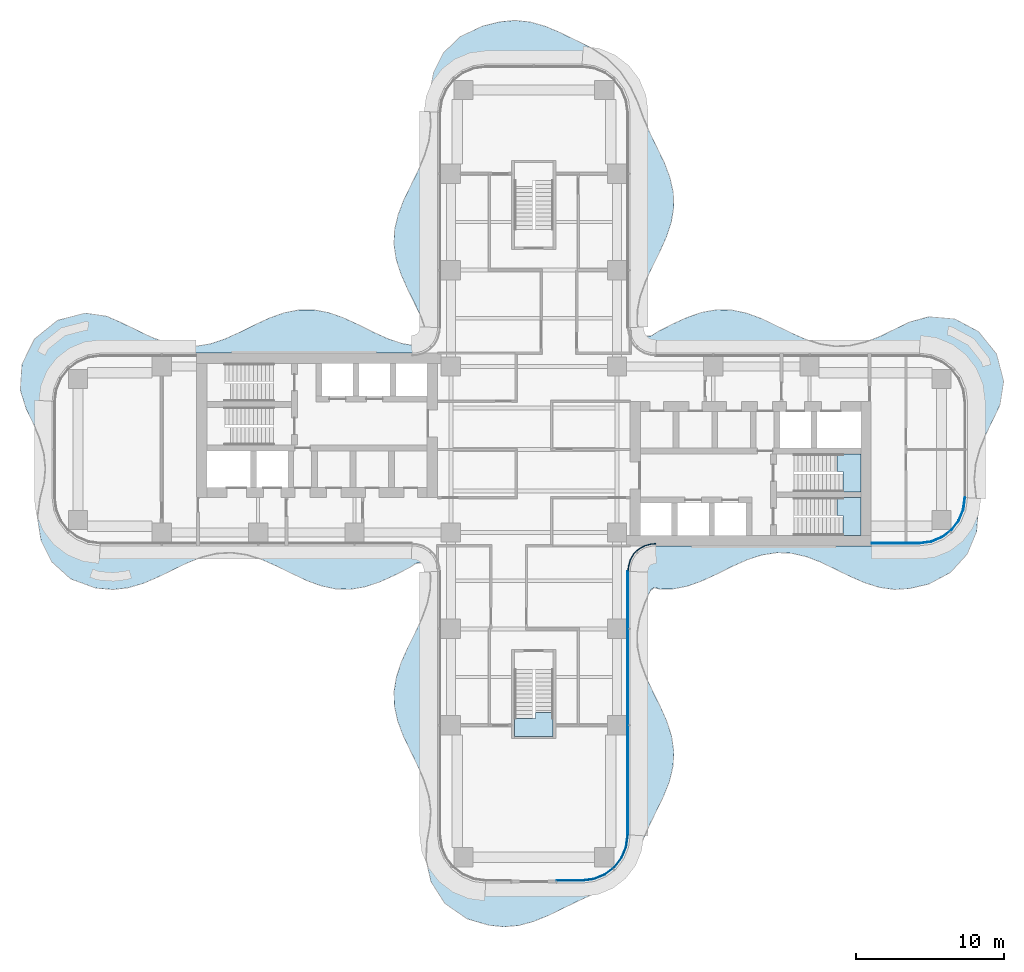
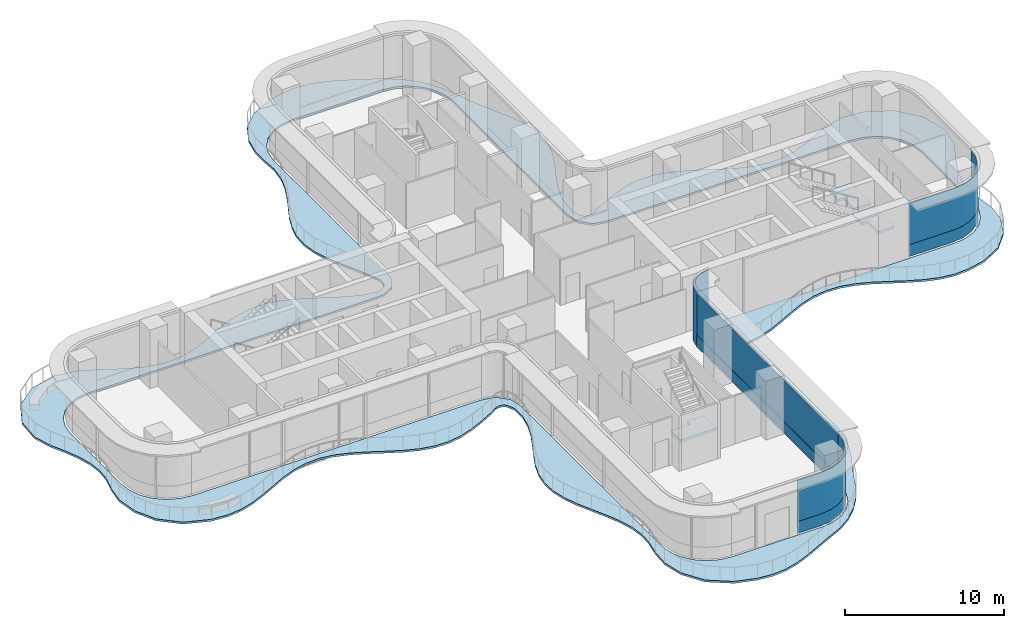
# One storey, part 14 of 21: 7 plates, 4 slabs, 7 elements without a shape of their own.
"""IFC4 building model written with IfcOpenShell, lengths in metres."""

from ifc_helpers import new_model, si_unit, direction, frame, origin, place, context, subcontext, project, spatial, polyline, outline, extrude, source, transform, mapped, material, layer, layer_set, type_object, element, aggregate, save


model = new_model("IFC4")

# Units and contexts
model_context = context("Model", 3, precision=1e-05, world=origin(), true_north=direction((0.0, 1.0)))
body_context = subcontext(model_context, "Body", "Model", "MODEL_VIEW")
ifc_project = project(units=[si_unit("LENGTHUNIT", "METRE"), si_unit("AREAUNIT", "SQUARE_METRE"), si_unit("VOLUMEUNIT", "CUBIC_METRE"), si_unit("PLANEANGLEUNIT", "RADIAN"), si_unit("MASSUNIT", "GRAM", prefix="KILO")], contexts=[model_context])

# Site, building, storey
site_placement = place(None, origin())
site = spatial("IfcSite", under=ifc_project, at=site_placement, CompositionType="ELEMENT")
building_placement = place(site_placement, origin())
building = spatial("IfcBuilding", under=site, at=building_placement, Name="Trellis Farm Tower", CompositionType="ELEMENT")
storey_placement = place(building_placement, frame((0.0, 0.0, 102.0)))
storey = spatial("IfcBuildingStorey", under=building, at=storey_placement, Name="L21", CompositionType="ELEMENT", Elevation=102.0)

# Slab
ifc_material_1 = material(Name="Concrete C40/50", Category="concrete")
ifc_layer_1 = layer(ifc_material_1, 0.14990234375)
ifc_layer_set_1 = layer_set([ifc_layer_1], Name="Balcony slab 150")
slab_type_1 = type_object("IfcSlabType", Name="Balcony slab 150", PredefinedType="FLOOR", material=ifc_layer_set_1)
slab_1_placement = place(storey_placement, frame((0.0, 0.0, -0.14990234375)))
element("IfcSlab", 1, at=slab_1_placement, inside=storey, type_object=slab_type_1, Name="Balcony slab", PredefinedType="FLOOR", context=body_context, shape_type="SweptSolid", body=[
    extrude(outline(polyline([(-8.403564453125, -7.976806640625), (-9.360595703125, -8.4658203125), (-9.36669921875, -8.46875), (-10.360595703125, -8.919921875), (-10.37451171875, -8.92529296875), (-11.360595703125, -9.259521484375), (-11.3837890625, -9.265380859375), (-12.3603515625, -9.431884765625), (-12.38916015625, -9.433837890625), (-13.35888671875, -9.410400390625), (-13.38671875, -9.406982421875), (-14.357421875, -9.198486328125), (-14.378173828125, -9.1923828125), (-15.356201171875, -8.8291015625), (-15.36767578125, -8.82421875), (-16.3515625, -8.361572265625), (-16.354248046875, -8.3603515625), (-17.359130859375, -7.86279296875), (-17.3623046875, -7.861083984375), (-18.3671875, -7.418701171875), (-18.374755859375, -7.415771484375), (-19.374755859375, -7.1005859375), (-19.38671875, -7.097900390625), (-20.37841796875, -6.958984375), (-20.39306640625, -6.958251953125), (-21.375244140625, -7.012939453125), (-21.388671875, -7.014892578125), (-22.367431640625, -7.251220703125), (-22.376953125, -7.25439453125), (-23.358154296875, -7.63720703125), (-23.36376953125, -7.639404296875), (-25.34033203125, -8.599609375), (-25.3466796875, -8.6025390625), (-26.329345703125, -9.0244140625), (-26.345947265625, -9.030517578125), (-27.348388671875, -9.32763671875), (-27.373779296875, -9.332763671875), (-28.347900390625, -9.44580078125), (-28.377197265625, -9.4462890625), (-29.5458984375, -9.351806640625), (-29.585693359375, -9.343017578125), (-31.21337890625, -8.745361328125), (-31.23974609375, -8.732666015625), (-31.271240234375, -8.71337890625), (-31.294189453125, -8.6962890625), (-32.49658203125, -7.60205078125), (-32.514892578125, -7.581787109375), (-32.5361328125, -7.553955078125), (-32.551025390625, -7.530029296875), (-33.23779296875, -6.154296875), (-33.251708984375, -6.11083984375), (-33.489013671875, -4.62255859375), (-33.4892578125, -4.57861328125), (-33.31689453125, -3.322021484375), (-33.313720703125, -3.305419921875), (-33.04052734375, -2.228271484375), (-33.03857421875, -2.216552734375), (-32.953857421875, -1.29296875), (-32.9541015625, -1.27880859375), (-33.0517578125, -0.289306640625), (-33.05419921875, -0.276123046875), (-33.3486328125, 0.761962890625), (-33.351806640625, 0.7705078125), (-33.7666015625, 1.753173828125), (-33.7685546875, 1.757080078125), (-34.242431640625, 2.72265625), (-34.2509765625, 2.744140625), (-34.637939453125, 3.98779296875), (-34.643798828125, 4.01513671875), (-34.64794921875, 4.050537109375), (-34.648681640625, 4.078125), (-34.53369140625, 5.74609375), (-34.52880859375, 5.775634765625), (-34.518310546875, 5.81298828125), (-34.507568359375, 5.841064453125), (-33.68896484375, 7.450439453125), (-33.671630859375, 7.477294921875), (-33.645751953125, 7.509033203125), (-33.623291015625, 7.531494140625), (-32.18701171875, 8.6826171875), (-32.160400390625, 8.699462890625), (-32.1240234375, 8.7177734375), (-32.094482421875, 8.72900390625), (-30.31982421875, 9.1904296875), (-30.291015625, 9.195068359375), (-30.25341796875, 9.197021484375), (-30.22314453125, 9.19580078125), (-28.847900390625, 8.998291015625), (-28.809326171875, 8.9873046875), (-27.849609375, 8.568603515625), (-27.84423828125, 8.566162109375), (-25.84228515625, 7.597412109375), (-25.8359375, 7.5947265625), (-24.833984375, 7.217529296875), (-24.823486328125, 7.214599609375), (-23.827880859375, 6.99609375), (-23.814208984375, 6.994384765625), (-22.828125, 6.9658203125), (-22.813720703125, 6.966796875), (-21.83447265625, 7.12841796875), (-21.822998046875, 7.131103515625), (-20.84326171875, 7.45703125), (-20.836181640625, 7.459716796875), (-19.864501953125, 7.896240234375), (-19.86181640625, 7.8974609375), (-18.857421875, 8.3955078125), (-18.85400390625, 8.397216796875), (-17.857421875, 8.860595703125), (-17.8447265625, 8.86572265625), (-16.857177734375, 9.220458984375), (-16.835205078125, 9.226318359375), (-15.857421875, 9.418701171875), (-15.8291015625, 9.421630859375), (-14.858642578125, 9.42529296875), (-14.830078125, 9.4228515625), (-13.860107421875, 9.239501953125), (-13.838134765625, 9.233642578125), (-12.861572265625, 8.8896484375), (-12.8486328125, 8.884521484375), (-11.86279296875, 8.430419921875), (-11.85888671875, 8.4287109375), (-10.859619140625, 7.932373046875), (-10.857421875, 7.931396484375), (-9.883544921875, 7.48828125), (-9.876953125, 7.485595703125), (-8.900390625, 7.15087890625), (-8.88818359375, 7.147705078125), (-8.08837890625, 7.017578125), (-8.063720703125, 7.017578125), (-7.86474609375, 7.052978515625), (-7.841796875, 7.06103515625), (-7.49609375, 7.252197265625), (-7.482421875, 7.261962890625), (-7.385498046875, 7.3486328125), (-7.366455078125, 7.37548828125), (-7.31640625, 7.49560546875), (-7.31201171875, 7.511474609375), (-7.247314453125, 7.887451171875), (-7.24658203125, 7.90771484375), (-7.263916015625, 8.075439453125), (-7.268798828125, 8.09521484375), (-7.57373046875, 8.863037109375), (-7.575439453125, 8.8671875), (-8.041015625, 9.857177734375), (-8.041748046875, 9.8583984375), (-8.531982421875, 10.847412109375), (-8.53466796875, 10.853271484375), (-8.97021484375, 11.837158203125), (-8.97607421875, 11.85205078125), (-9.2890625, 12.826904296875), (-9.29443359375, 12.8505859375), (-9.439208984375, 13.81982421875), (-9.4404296875, 13.849365234375), (-9.39111328125, 14.852294921875), (-9.38720703125, 14.8798828125), (-9.154296875, 15.85107421875), (-9.148193359375, 15.87060546875), (-8.766845703125, 16.849365234375), (-8.761962890625, 16.860595703125), (-7.801513671875, 18.837646484375), (-7.80029296875, 18.8408203125), (-7.377685546875, 19.82421875), (-7.374755859375, 19.832275390625), (-7.080810546875, 20.81103515625), (-7.078369140625, 20.82373046875), (-6.953857421875, 21.8701171875), (-6.95361328125, 21.88330078125), (-7.014404296875, 22.8896484375), (-7.0146484375, 22.896484375), (-7.032958984375, 24.068603515625), (-7.030029296875, 24.100341796875), (-6.76708984375, 25.418701171875), (-6.754150390625, 25.456298828125), (-6.1279296875, 26.713623046875), (-6.097900390625, 26.75439453125), (-4.968994140625, 27.847900390625), (-4.927734375, 27.8759765625), (-3.447998046875, 28.56494140625), (-3.419921875, 28.57470703125), (-2.273681640625, 28.852783203125), (-2.252197265625, 28.856201171875), (-1.283447265625, 28.947021484375), (-1.25390625, 28.94677734375), (-0.2509765625, 28.841552734375), (-0.22509765625, 28.83642578125), (0.748046875, 28.556640625), (0.764892578125, 28.55078125), (1.746826171875, 28.13623046875), (1.75439453125, 28.1328125), (3.8720703125, 27.099853515625), (3.889892578125, 27.089599609375), (4.98193359375, 26.357177734375), (5.006103515625, 26.337158203125), (5.84326171875, 25.474609375), (5.8603515625, 25.45361328125), (6.50341796875, 24.490966796875), (6.5146484375, 24.47119140625), (6.9951171875, 23.4462890625), (7.000244140625, 23.43408203125), (7.390380859375, 22.3623046875), (7.39208984375, 22.358154296875), (7.826904296875, 21.359619140625), (7.827880859375, 21.35693359375), (8.798583984375, 19.351806640625), (8.803955078125, 19.33935546875), (9.177734375, 18.35107421875), (9.183837890625, 18.33056640625), (9.40185546875, 17.351318359375), (9.4052734375, 17.323486328125), (9.4365234375, 16.352294921875), (9.434814453125, 16.323486328125), (9.277099609375, 15.353759765625), (9.271484375, 15.330810546875), (8.94775390625, 14.355224609375), (8.9423828125, 14.341064453125), (8.503173828125, 13.362548828125), (8.50048828125, 13.357421875), (8.0068359375, 12.3623046875), (8.006103515625, 12.36083984375), (7.54736328125, 11.375732421875), (7.544677734375, 11.369384765625), (7.175048828125, 10.3388671875), (7.172119140625, 10.328125), (6.986572265625, 9.3994140625), (6.985107421875, 9.385986328125), (6.97216796875, 8.457763671875), (6.973876953125, 8.440673828125), (7.00341796875, 8.305908203125), (7.0087890625, 8.2900390625), (7.208740234375, 7.864501953125), (7.21875, 7.8486328125), (7.310302734375, 7.7373046875), (7.339599609375, 7.7158203125), (7.47314453125, 7.66162109375), (7.490966796875, 7.65673828125), (7.695068359375, 7.628662109375), (7.721435546875, 7.6298828125), (7.934814453125, 7.677734375), (7.958984375, 7.68798828125), (8.389892578125, 7.968994140625), (8.403564453125, 7.976806640625), (9.360595703125, 8.4658203125), (9.36669921875, 8.46875), (10.3447265625, 8.91357421875), (10.3583984375, 8.9189453125), (11.33447265625, 9.2529296875), (11.35693359375, 9.2587890625), (12.326904296875, 9.42919921875), (12.35546875, 9.431396484375), (13.326171875, 9.4140625), (13.354248046875, 9.410888671875), (14.3330078125, 9.20556640625), (14.35400390625, 9.199462890625), (15.34228515625, 8.8349609375), (15.354248046875, 8.830078125), (16.3515625, 8.361572265625), (16.354248046875, 8.3603515625), (17.345458984375, 7.869140625), (17.348388671875, 7.86767578125), (18.332275390625, 7.431884765625), (18.339599609375, 7.428955078125), (19.319091796875, 7.113525390625), (19.330810546875, 7.11083984375), (20.310302734375, 6.96240234375), (20.32470703125, 6.96142578125), (21.311279296875, 7.00390625), (21.3251953125, 7.005859375), (22.3671875, 7.251220703125), (22.377197265625, 7.25439453125), (23.358154296875, 7.63720703125), (23.36376953125, 7.639404296875), (25.320068359375, 8.58984375), (25.345703125, 8.599609375), (26.631103515625, 8.953369140625), (26.65771484375, 8.9580078125), (26.69189453125, 8.961181640625), (26.718505859375, 8.961181640625), (28.333251953125, 8.8173828125), (28.363037109375, 8.811767578125), (28.400390625, 8.800537109375), (28.42822265625, 8.7890625), (29.98876953125, 7.95361328125), (30.01416015625, 7.9365234375), (30.044677734375, 7.910888671875), (30.066162109375, 7.888916015625), (31.20654296875, 6.44482421875), (31.223388671875, 6.41796875), (31.241455078125, 6.381103515625), (31.25244140625, 6.351318359375), (31.687744140625, 4.60205078125), (31.69189453125, 4.572021484375), (31.693603515625, 4.533447265625), (31.69189453125, 4.50244140625), (31.44580078125, 3.019287109375), (31.432861328125, 2.978759765625), (30.485595703125, 1.0107421875), (30.48388671875, 1.007080078125), (30.076171875, 0.0244140625), (30.0732421875, 0.015625), (29.8017578125, -0.962890625), (29.79931640625, -0.97607421875), (29.704345703125, -2.025390625), (29.70458984375, -2.0400390625), (29.806396484375, -3.0087890625), (29.806884765625, -3.011474609375), (29.970703125, -4.175048828125), (29.9716796875, -4.207763671875), (29.86865234375, -5.517822265625), (29.857666015625, -5.563720703125), (29.256591796875, -7.01171875), (29.2294921875, -7.054443359375), (28.147216796875, -8.25927734375), (28.106689453125, -8.291015625), (26.68212890625, -9.06103515625), (26.6455078125, -9.0751953125), (25.37451171875, -9.376708984375), (25.34912109375, -9.380615234375), (24.34619140625, -9.443603515625), (24.316650390625, -9.442626953125), (23.347412109375, -9.31103515625), (23.3232421875, -9.3056640625), (22.348876953125, -9.003662109375), (22.333251953125, -8.997802734375), (21.349609375, -8.568603515625), (21.34423828125, -8.566162109375), (19.367919921875, -7.6083984375), (19.36181640625, -7.605712890625), (18.381103515625, -7.231689453125), (18.37109375, -7.228759765625), (17.392333984375, -7.00439453125), (17.37890625, -7.002685546875), (16.39599609375, -6.9619140625), (16.381591796875, -6.962646484375), (15.38916015625, -7.114990234375), (15.377197265625, -7.117919921875), (14.376953125, -7.444091796875), (14.36962890625, -7.447021484375), (13.364501953125, -7.89599609375), (13.36181640625, -7.8974609375), (12.361328125, -8.393798828125), (12.35791015625, -8.3955078125), (11.37158203125, -8.8544921875), (11.359375, -8.859619140625), (10.382080078125, -9.21337890625), (10.3603515625, -9.219482421875), (9.357421875, -9.418701171875), (9.3291015625, -9.421630859375), (8.497802734375, -9.427490234375), (8.42822265625, -9.410888671875), (8.29345703125, -9.341552734375), (8.263671875, -9.333251953125), (8.131591796875, -9.326171875), (8.09716796875, -9.332763671875), (7.978759765625, -9.38623046875), (7.951171875, -9.407958984375), (7.864990234375, -9.51708984375), (7.855712890625, -9.532470703125), (7.488525390625, -10.340087890625), (7.485595703125, -10.34716796875), (7.135986328125, -11.380126953125), (7.13330078125, -11.391357421875), (6.972412109375, -12.3173828125), (6.97119140625, -12.331298828125), (6.98583984375, -13.316650390625), (6.9873046875, -13.330810546875), (7.19287109375, -14.32568359375), (7.19580078125, -14.33642578125), (7.563720703125, -15.33837890625), (7.566162109375, -15.344482421875), (8.037841796875, -16.3505859375), (8.03857421875, -16.35205078125), (8.531982421875, -17.347412109375), (8.53466796875, -17.353271484375), (8.97021484375, -18.337158203125), (8.97607421875, -18.35205078125), (9.288818359375, -19.32666015625), (9.29443359375, -19.350830078125), (9.44091796875, -20.353759765625), (9.442138671875, -20.38330078125), (9.39111328125, -21.3525390625), (9.38720703125, -21.379638671875), (9.154296875, -22.35107421875), (9.148193359375, -22.37060546875), (8.766845703125, -23.349365234375), (8.761962890625, -23.360595703125), (7.80126953125, -25.33837890625), (7.7998046875, -25.34130859375), (7.314208984375, -26.4580078125), (7.3076171875, -26.470947265625), (6.73828125, -27.4970703125), (6.725341796875, -27.516357421875), (6.013427734375, -28.42919921875), (5.999755859375, -28.444580078125), (5.184814453125, -29.236083984375), (5.163818359375, -29.253173828125), (4.18310546875, -29.910400390625), (4.161865234375, -29.922119140625), (3.007568359375, -30.4482421875), (3.005859375, -30.448974609375), (1.008056640625, -31.415771484375), (1.0, -31.41943359375), (-0.001708984375, -31.833251953125), (-0.019775390625, -31.83935546875), (-1.001708984375, -32.106201171875), (-1.02783203125, -32.11083984375), (-2.000732421875, -32.197021484375), (-2.02978515625, -32.196533203125), (-3.029052734375, -32.091064453125), (-3.055419921875, -32.0859375), (-4.490966796875, -31.66552734375), (-4.534423828125, -31.644775390625), (-5.982177734375, -30.6396484375), (-6.0048828125, -30.620361328125), (-6.0302734375, -30.593994140625), (-6.048583984375, -30.5703125), (-6.924560546875, -29.18994140625), (-6.944091796875, -29.1435546875), (-7.26904296875, -27.7421875), (-7.272705078125, -27.701416015625), (-7.21630859375, -26.465576171875), (-7.214111328125, -26.44580078125), (-7.021240234375, -25.37158203125), (-7.02001953125, -25.36328125), (-6.955810546875, -24.389892578125), (-6.956298828125, -24.37548828125), (-7.08154296875, -23.384521484375), (-7.084228515625, -23.3720703125), (-7.401611328125, -22.336181640625), (-7.404541015625, -22.327880859375), (-7.833984375, -21.344482421875), (-7.835205078125, -21.341796875), (-8.798583984375, -19.351806640625), (-8.803955078125, -19.33935546875), (-9.177734375, -18.35107421875), (-9.183837890625, -18.33056640625), (-9.40185546875, -17.351318359375), (-9.4052734375, -17.323486328125), (-9.4365234375, -16.352294921875), (-9.434814453125, -16.323486328125), (-9.277099609375, -15.353759765625), (-9.271484375, -15.330810546875), (-8.94775390625, -14.355224609375), (-8.9423828125, -14.341064453125), (-8.503173828125, -13.362548828125), (-8.50048828125, -13.357421875), (-8.0029296875, -12.3544921875), (-8.002197265625, -12.352783203125), (-7.535400390625, -11.3466796875), (-7.532958984375, -11.3408203125), (-7.189208984375, -10.388916015625), (-7.18603515625, -10.37841796875), (-6.986572265625, -9.399658203125), (-6.985107421875, -9.3857421875), (-6.97216796875, -8.457763671875), (-6.973876953125, -8.440673828125), (-7.00341796875, -8.305908203125), (-7.0087890625, -8.2900390625), (-7.208740234375, -7.864501953125), (-7.21875, -7.8486328125), (-7.310302734375, -7.7373046875), (-7.339599609375, -7.7158203125), (-7.47314453125, -7.66162109375), (-7.490966796875, -7.65673828125), (-7.695068359375, -7.628662109375), (-7.721435546875, -7.6298828125), (-7.934814453125, -7.677734375), (-7.958984375, -7.68798828125), (-8.389892578125, -7.968994140625), (-8.403564453125, -7.976806640625)]), holes=[polyline([(-7.34326171875, -6.75390625), (-6.75390625, -7.34326171875), (-6.727783203125, -7.3779296875), (-6.7021484375, -7.425537109375), (-6.687255859375, -7.46630859375), (-6.5068359375, -8.327880859375), (-6.503662109375, -8.358642578125), (-6.50048828125, -22.5869140625), (-6.50048828125, -26.0), (-6.389892578125, -26.84130859375), (-6.065185546875, -27.625244140625), (-5.548583984375, -28.298583984375), (-4.875244140625, -28.815185546875), (-4.09130859375, -29.139892578125), (-3.25, -29.25048828125), (3.25, -29.25048828125), (4.09130859375, -29.139892578125), (4.875244140625, -28.815185546875), (5.548583984375, -28.298583984375), (6.065185546875, -27.625244140625), (6.389892578125, -26.84130859375), (6.50048828125, -26.0), (6.50048828125, -8.38818359375), (6.503173828125, -8.364013671875), (6.687255859375, -7.466552734375), (6.702392578125, -7.42529296875), (6.727783203125, -7.3779296875), (6.75390625, -7.34326171875), (7.34326171875, -6.75390625), (7.3779296875, -6.727783203125), (7.42529296875, -6.702392578125), (7.466552734375, -6.687255859375), (8.364013671875, -6.503173828125), (8.38818359375, -6.50048828125), (26.0, -6.50048828125), (26.84130859375, -6.389892578125), (27.625244140625, -6.065185546875), (28.298583984375, -5.548583984375), (28.815185546875, -4.875244140625), (29.139892578125, -4.09130859375), (29.25048828125, -3.25), (29.25048828125, 3.25), (29.139892578125, 4.09130859375), (28.815185546875, 4.875244140625), (28.298583984375, 5.548583984375), (27.625244140625, 6.065185546875), (26.84130859375, 6.389892578125), (26.0, 6.50048828125), (8.38818359375, 6.50048828125), (8.364013671875, 6.503173828125), (7.466552734375, 6.687255859375), (7.42529296875, 6.702392578125), (7.3779296875, 6.727783203125), (7.34326171875, 6.75390625), (6.75390625, 7.34326171875), (6.727783203125, 7.3779296875), (6.702392578125, 7.42529296875), (6.687255859375, 7.466552734375), (6.503173828125, 8.364013671875), (6.50048828125, 8.38818359375), (6.50048828125, 22.75), (6.389892578125, 23.59130859375), (6.065185546875, 24.375244140625), (5.548583984375, 25.048583984375), (4.875244140625, 25.565185546875), (4.09130859375, 25.889892578125), (3.25, 26.00048828125), (-3.25, 26.00048828125), (-4.09130859375, 25.889892578125), (-4.875244140625, 25.565185546875), (-5.548583984375, 25.048583984375), (-6.065185546875, 24.375244140625), (-6.389892578125, 23.59130859375), (-6.50048828125, 22.75), (-6.50048828125, 8.84130859375), (-6.540283203125, 7.914794921875), (-6.54541015625, 7.882080078125), (-6.556396484375, 7.84130859375), (-6.568359375, 7.810302734375), (-6.963623046875, 7.059814453125), (-6.990478515625, 7.023193359375), (-7.030517578125, 6.9833984375), (-7.067138671875, 6.956787109375), (-7.8203125, 6.5654296875), (-7.85107421875, 6.553466796875), (-7.891845703125, 6.542724609375), (-7.92431640625, 6.537841796875), (-8.8505859375, 6.50048828125), (-29.25, 6.50048828125), (-30.09130859375, 6.389892578125), (-30.875244140625, 6.065185546875), (-31.548583984375, 5.548583984375), (-32.065185546875, 4.875244140625), (-32.389892578125, 4.09130859375), (-32.50048828125, 3.25), (-32.50048828125, -3.25), (-32.389892578125, -4.09130859375), (-32.065185546875, -4.875244140625), (-31.548583984375, -5.548583984375), (-30.875244140625, -6.065185546875), (-30.09130859375, -6.389892578125), (-29.25, -6.50048828125), (-8.38818359375, -6.50048828125), (-8.364013671875, -6.503173828125), (-7.466552734375, -6.687255859375), (-7.42529296875, -6.702392578125), (-7.3779296875, -6.727783203125), (-7.34326171875, -6.75390625)])]), origin(), (0.0, 0.0, 1.0), 0.14990234375),
])

# Stair, slab
ifc_material_2 = material(Name="Concrete C50/60", Category="concrete")
stair_type = type_object("IfcStairType", Name="CORE EXIT STAIR 26 RISERS 173 MM", PredefinedType="HALF_TURN_STAIR", material=ifc_material_2)
placement_1 = place(storey_placement, origin())
stair_1 = element("IfcStair", 2, at=placement_1, inside=storey, type_object=stair_type, Name="Exit stair S", PredefinedType="HALF_TURN_STAIR")
ifc_layer_2 = layer(ifc_material_2, 0.18994140625)
ifc_layer_set_2 = layer_set([ifc_layer_2], Name="CORE STAIR LANDING 190 CONCRETE C50/60")
slab_type_2 = type_object("IfcSlabType", Name="CORE STAIR LANDING 190 CONCRETE C50/60", PredefinedType="LANDING", material=ifc_layer_set_2)
shared_shape_1 = source(origin(), body_context, "Body", "SweptSolid", [
    extrude(outline(polyline([(1.300048828125, -19.35009765625), (-1.300048828125, -19.35009765625), (-1.300048828125, -18.14990234375), (-1.300048828125, -18.139892578125), (-0.10009765625, -18.139892578125), (-0.10009765625, -18.14990234375), (0.10009765625, -18.14990234375), (0.10009765625, -17.753173828125), (1.300048828125, -17.753173828125), (1.300048828125, -18.14990234375), (1.300048828125, -19.35009765625)])), origin(), (0.0, 0.0, 1.0), 0.18994140625),
])
placement_2 = place(storey_placement, frame((0.0, 0.0, 2.06005859375)))
slab_2 = element("IfcSlab", 3, at=placement_2, type_object=slab_type_2, Name="STS landing 1", PredefinedType="LANDING", context=body_context, shape_type="MappedRepresentation", body=[
    mapped(shared_shape_1, transform((0.0, 0.0, 0.0))),
])
aggregate(stair_1, [slab_2])

stair_2 = element("IfcStair", 4, at=placement_1, inside=storey, type_object=stair_type, Name="Exit stair E1", PredefinedType="HALF_TURN_STAIR")
shared_shape_2 = source(origin(), body_context, "Body", "SweptSolid", [
    extrude(outline(polyline([(20.840087890625, -5.800048828125), (20.840087890625, -4.60009765625), (20.85009765625, -4.60009765625), (20.85009765625, -4.449951171875), (20.453125, -4.449951171875), (20.453125, -3.25), (20.85009765625, -3.25), (22.050048828125, -3.25), (22.050048828125, -5.800048828125), (20.85009765625, -5.800048828125), (20.840087890625, -5.800048828125)])), origin(), (0.0, 0.0, 1.0), 0.18994140625),
])
slab_3 = element("IfcSlab", 5, at=placement_2, type_object=slab_type_2, Name="STE1 landing 1", PredefinedType="LANDING", context=body_context, shape_type="MappedRepresentation", body=[
    mapped(shared_shape_2, transform((0.0, 0.0, 0.0))),
])
aggregate(stair_2, [slab_3])

stair_3 = element("IfcStair", 6, at=placement_1, inside=storey, type_object=stair_type, Name="Exit stair E2", PredefinedType="HALF_TURN_STAIR")
shared_shape_3 = source(origin(), body_context, "Body", "SweptSolid", [
    extrude(outline(polyline([(20.840087890625, -2.85009765625), (20.840087890625, -1.64990234375), (20.85009765625, -1.64990234375), (20.85009765625, -1.5), (20.453125, -1.5), (20.453125, -0.300048828125), (20.85009765625, -0.300048828125), (22.050048828125, -0.300048828125), (22.050048828125, -2.85009765625), (20.85009765625, -2.85009765625), (20.840087890625, -2.85009765625)])), origin(), (0.0, 0.0, 1.0), 0.18994140625),
])
slab_4 = element("IfcSlab", 7, at=placement_2, type_object=slab_type_2, Name="STE2 landing 1", PredefinedType="LANDING", context=body_context, shape_type="MappedRepresentation", body=[
    mapped(shared_shape_3, transform((0.0, 0.0, 0.0))),
])
aggregate(stair_3, [slab_4])

# Curtain wall, plates
ifc_material_3 = material(Name="Aluminium and glass curtain wall", Category="aluminium")
ifc_layer_3 = layer(ifc_material_3, 0.18994140625)
ifc_layer_set_3 = layer_set([ifc_layer_3], Name="RIBBON CURTAIN WALL CW1")
curtain_wall_type_1 = type_object("IfcCurtainWallType", Name="RIBBON CURTAIN WALL CW1", PredefinedType="NOTDEFINED", material=ifc_layer_set_3)
curtain_wall_1 = element("IfcCurtainWall", 8, at=placement_1, inside=storey, type_object=curtain_wall_type_1, Name="CW1 005", PredefinedType="NOTDEFINED")
ifc_material_4 = material(Name="Clear insulated glass", Category="glass")
ifc_layer_4 = layer(ifc_material_4, 0.0400390625)
ifc_layer_set_4 = layer_set([ifc_layer_4], Name="CW1 GLASS PANEL 40")
plate_type_1 = type_object("IfcPlateType", Name="CW1 GLASS PANEL 40", PredefinedType="CURTAIN_PANEL", material=ifc_layer_set_4)
shared_shape_4 = source(origin(), body_context, "Body", "SweptSolid", [
    extrude(outline(polyline([(6.35009765625, -25.990234375), (6.35009765625, -8.2265625), (6.31005859375, -8.22509765625), (6.31005859375, -25.987548828125), (6.35009765625, -25.990234375)])), origin(), (0.0, 0.0, 1.0), 3.170166015625),
])
placement_3 = place(storey_placement, frame((0.0, 0.0, 0.89990234375)))
plate_1 = element("IfcPlate", 9, at=placement_3, type_object=plate_type_1, Name="PL1 005", PredefinedType="CURTAIN_PANEL", context=body_context, shape_type="MappedRepresentation", body=[
    mapped(shared_shape_4, transform((0.0, 0.0, 0.0))),
])
ifc_material_5 = material(Name="Sandstone faced insulated panel", Category="masonry")
ifc_layer_5 = layer(ifc_material_5, 0.050048828125)
ifc_layer_set_5 = layer_set([ifc_layer_5], Name="CW1 STONE SPANDREL PANEL 50")
plate_type_2 = type_object("IfcPlateType", Name="CW1 STONE SPANDREL PANEL 50", PredefinedType="CURTAIN_PANEL", material=ifc_layer_set_5)
shared_shape_5 = source(origin(), body_context, "Body", "SweptSolid", [
    extrude(outline(polyline([(6.35009765625, -25.990234375), (6.35009765625, -8.2265625), (6.300048828125, -8.224853515625), (6.300048828125, -25.98681640625), (6.35009765625, -25.990234375)])), origin(), (0.0, 0.0, 1.0), 0.89990234375),
])
plate_2 = element("IfcPlate", 10, at=placement_1, type_object=plate_type_2, Name="PS1 005", PredefinedType="CURTAIN_PANEL", context=body_context, shape_type="MappedRepresentation", body=[
    mapped(shared_shape_5, transform((0.0, 0.0, 0.0))),
])
aggregate(curtain_wall_1, [plate_1, plate_2])

# Curtain wall, plate
ifc_layer_6 = layer(ifc_material_3, 0.166015625)
ifc_layer_set_6 = layer_set([ifc_layer_6], Name="WINTER GARDEN CURTAIN WALL CW3")
curtain_wall_type_2 = type_object("IfcCurtainWallType", Name="WINTER GARDEN CURTAIN WALL CW3", PredefinedType="NOTDEFINED", material=ifc_layer_set_6)
curtain_wall_2 = element("IfcCurtainWall", 11, at=placement_1, inside=storey, type_object=curtain_wall_type_2, Name="CW3 002", PredefinedType="NOTDEFINED")
ifc_layer_7 = layer(ifc_material_4, 0.0458984375)
ifc_layer_set_7 = layer_set([ifc_layer_7], Name="CW3 GLASS PANEL 46")
plate_type_3 = type_object("IfcPlateType", Name="CW3 GLASS PANEL 46", PredefinedType="CURTAIN_PANEL", material=ifc_layer_set_7)
shared_shape_6 = source(origin(), body_context, "Body", "SweptSolid", [
    extrude(outline(polyline([(6.3798828125, -8.2275390625), (6.394287109375, -8.0078125), (6.40966796875, -7.89208984375), (6.52490234375, -7.462158203125), (6.7509765625, -7.070556640625), (7.070556640625, -6.7509765625), (7.462158203125, -6.52490234375), (7.89208984375, -6.40966796875), (8.0078125, -6.394287109375), (8.2275390625, -6.3798828125), (8.22607421875, -6.333984375), (8.003173828125, -6.3486328125), (7.883056640625, -6.364501953125), (7.4443359375, -6.48193359375), (7.04248046875, -6.714111328125), (6.714111328125, -7.04248046875), (6.48193359375, -7.4443359375), (6.364501953125, -7.883056640625), (6.3486328125, -8.003173828125), (6.333984375, -8.22607421875), (6.3798828125, -8.2275390625)])), origin(), (0.0, 0.0, 1.0), 4.10009765625),
])
plate_3 = element("IfcPlate", 12, at=placement_1, type_object=plate_type_3, Name="PL3 002", PredefinedType="CURTAIN_PANEL", context=body_context, shape_type="MappedRepresentation", body=[
    mapped(shared_shape_6, transform((0.0, 0.0, 0.0))),
])
aggregate(curtain_wall_2, [plate_3])

# Curtain wall, plates
curtain_wall_3 = element("IfcCurtainWall", 13, at=placement_1, inside=storey, type_object=curtain_wall_type_1, Name="CW1 004", PredefinedType="NOTDEFINED")
shared_shape_7 = source(origin(), body_context, "Body", "SweptSolid", [
    extrude(outline(polyline([(1.56005859375, -29.10009765625), (3.240234375, -29.10009765625), (4.052001953125, -28.9931640625), (4.79931640625, -28.68359375), (5.441162109375, -28.191162109375), (5.93359375, -27.54931640625), (6.2431640625, -26.802001953125), (6.35009765625, -25.990234375), (6.31005859375, -25.987548828125), (6.2041015625, -26.79150390625), (5.898681640625, -27.529296875), (5.41259765625, -28.16259765625), (4.779296875, -28.648681640625), (4.04150390625, -28.9541015625), (3.237548828125, -29.06005859375), (1.56005859375, -29.06005859375), (1.56005859375, -29.10009765625)])), origin(), (0.0, 0.0, 1.0), 3.170166015625),
])
plate_4 = element("IfcPlate", 14, at=placement_3, type_object=plate_type_1, Name="PL1 004", PredefinedType="CURTAIN_PANEL", context=body_context, shape_type="MappedRepresentation", body=[
    mapped(shared_shape_7, transform((0.0, 0.0, 0.0))),
])
shared_shape_8 = source(origin(), body_context, "Body", "SweptSolid", [
    extrude(outline(polyline([(1.56005859375, -29.10009765625), (3.240234375, -29.10009765625), (4.052001953125, -28.9931640625), (4.79931640625, -28.68359375), (5.441162109375, -28.191162109375), (5.93359375, -27.54931640625), (6.2431640625, -26.802001953125), (6.35009765625, -25.990234375), (6.300048828125, -25.98681640625), (6.1943359375, -26.7890625), (5.889892578125, -27.524169921875), (5.405517578125, -28.155517578125), (4.774169921875, -28.639892578125), (4.0390625, -28.9443359375), (3.23681640625, -29.050048828125), (1.56005859375, -29.050048828125), (1.56005859375, -29.10009765625)])), origin(), (0.0, 0.0, 1.0), 0.89990234375),
])
plate_5 = element("IfcPlate", 15, at=placement_1, type_object=plate_type_2, Name="PS1 004", PredefinedType="CURTAIN_PANEL", context=body_context, shape_type="MappedRepresentation", body=[
    mapped(shared_shape_8, transform((0.0, 0.0, 0.0))),
])
aggregate(curtain_wall_3, [plate_4, plate_5])

curtain_wall_4 = element("IfcCurtainWall", 16, at=placement_1, inside=storey, type_object=curtain_wall_type_1, Name="CW1 006", PredefinedType="NOTDEFINED")
shared_shape_9 = source(origin(), body_context, "Body", "SweptSolid", [
    extrude(outline(polyline([(22.780029296875, -6.35009765625), (25.990234375, -6.35009765625), (26.802001953125, -6.2431640625), (27.54931640625, -5.93359375), (28.191162109375, -5.441162109375), (28.68359375, -4.79931640625), (28.9931640625, -4.052001953125), (29.10009765625, -3.240234375), (29.06005859375, -3.237548828125), (28.9541015625, -4.04150390625), (28.648681640625, -4.779296875), (28.16259765625, -5.41259765625), (27.529296875, -5.898681640625), (26.79150390625, -6.2041015625), (25.987548828125, -6.31005859375), (22.780029296875, -6.31005859375), (22.780029296875, -6.35009765625)])), origin(), (0.0, 0.0, 1.0), 3.170166015625),
])
plate_6 = element("IfcPlate", 17, at=placement_3, type_object=plate_type_1, Name="PL1 006", PredefinedType="CURTAIN_PANEL", context=body_context, shape_type="MappedRepresentation", body=[
    mapped(shared_shape_9, transform((0.0, 0.0, 0.0))),
])
shared_shape_10 = source(origin(), body_context, "Body", "SweptSolid", [
    extrude(outline(polyline([(22.780029296875, -6.35009765625), (25.990234375, -6.35009765625), (26.802001953125, -6.2431640625), (27.54931640625, -5.93359375), (28.191162109375, -5.441162109375), (28.68359375, -4.79931640625), (28.9931640625, -4.052001953125), (29.10009765625, -3.240234375), (29.050048828125, -3.23681640625), (28.9443359375, -4.0390625), (28.639892578125, -4.774169921875), (28.155517578125, -5.405517578125), (27.524169921875, -5.889892578125), (26.7890625, -6.1943359375), (25.98681640625, -6.300048828125), (22.780029296875, -6.300048828125), (22.780029296875, -6.35009765625)])), origin(), (0.0, 0.0, 1.0), 0.89990234375),
])
plate_7 = element("IfcPlate", 18, at=placement_1, type_object=plate_type_2, Name="PS1 006", PredefinedType="CURTAIN_PANEL", context=body_context, shape_type="MappedRepresentation", body=[
    mapped(shared_shape_10, transform((0.0, 0.0, 0.0))),
])
aggregate(curtain_wall_4, [plate_6, plate_7])

save(model, "model.ifc")
